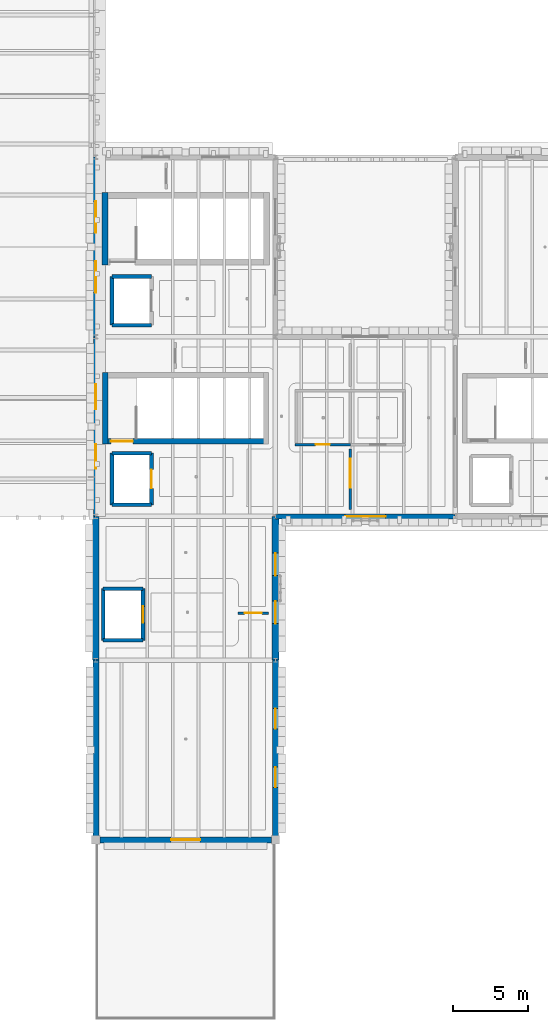
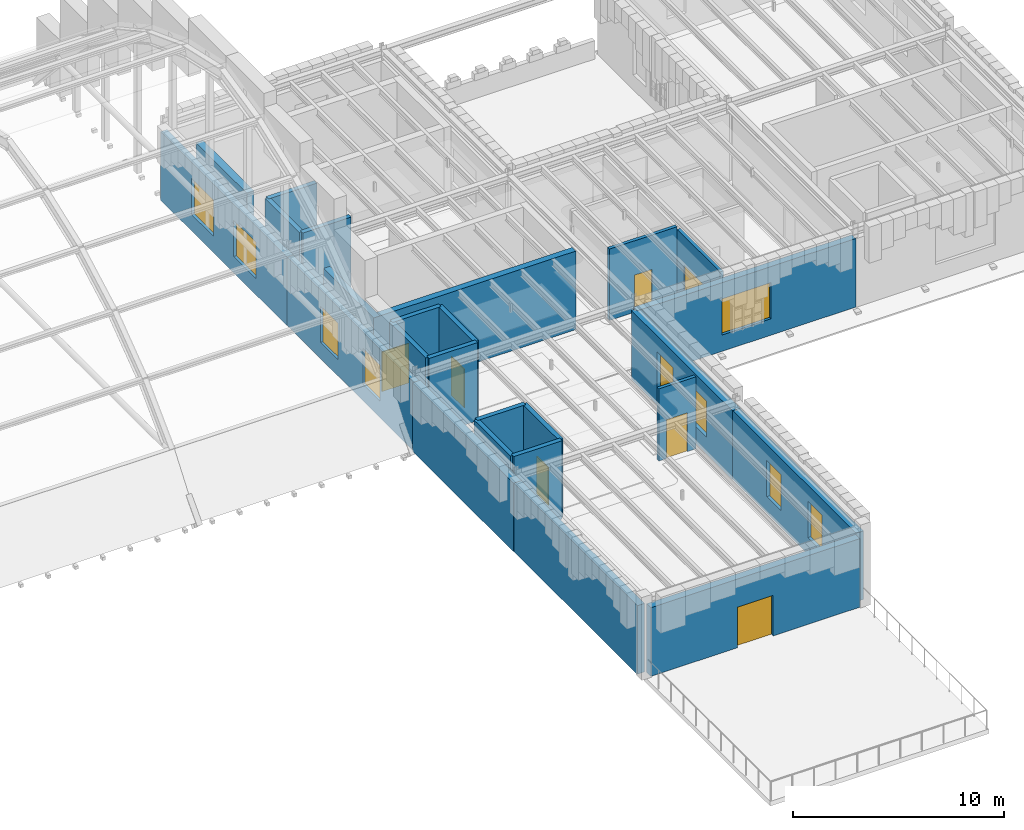
# One storey, part 16 of 35: 25 walls, 9 windows, 7 doors, 16 openings.
"""IFC4 building model written with IfcOpenShell, lengths in metres."""

from ifc_helpers import new_model, si_unit, direction, frame, frame_2d, origin, place, context, subcontext, project, spatial, rectangle, extrude, material, layer, layer_set, type_object, element, fill, save


model = new_model("IFC4")

# Units and contexts
model_context = context("Model", 3, precision=1e-05, world=origin(), true_north=direction((0.0, 1.0)))
body_context = subcontext(model_context, "Body", "Model", "MODEL_VIEW")
ifc_project = project(units=[si_unit("LENGTHUNIT", "METRE"), si_unit("AREAUNIT", "SQUARE_METRE"), si_unit("VOLUMEUNIT", "CUBIC_METRE"), si_unit("PLANEANGLEUNIT", "RADIAN"), si_unit("MASSUNIT", "GRAM", prefix="KILO")], contexts=[model_context])

# Site, building, storey
site_placement = place(None, origin())
site = spatial("IfcSite", under=ifc_project, at=site_placement, CompositionType="ELEMENT")
building_placement = place(site_placement, origin())
building = spatial("IfcBuilding", under=site, at=building_placement, Name="Zlatogorsky Bluff Art Gallery", CompositionType="ELEMENT")
storey_placement = place(building_placement, frame((0.0, 0.0, 23.39990234375)))
storey = spatial("IfcBuildingStorey", under=building, at=storey_placement, Name="L04", CompositionType="ELEMENT", Elevation=23.39990234375)

# Wall, openings, windows
ifc_material_1 = material(Name="Precast concrete C40/50", Category="concrete")
ifc_layer_1 = layer(ifc_material_1, 0.360107421875)
ifc_layer_set_1 = layer_set([ifc_layer_1], Name="Exterior Wall EW-01 360mm")
wall_type_1 = type_object("IfcWallType", Name="Exterior Wall EW-01 360mm", PredefinedType="SOLIDWALL", material=ifc_layer_set_1)
wall_1_placement = place(storey_placement, frame((120.0, 108.0, 0.0), z_axis=(0.0, 0.0, 1.0), x_axis=(0.0, -1.0, 0.0)))
wall_1 = element("IfcWall", 1, at=wall_1_placement, inside=storey, type_object=wall_type_1, Name="Exterior wall EW-01 L04 W 10.9", PredefinedType="SOLIDWALL", context=body_context, shape_type="SweptSolid", body=[
    extrude(rectangle(XDim=12.0, YDim=0.360107421875, at=frame_2d((6.0, 0.0))), origin(), (0.0, 0.0, 1.0), 3.97998046875),
])
opening_1_placement = place(wall_1_placement, frame((2.949951171875, 0.0, 0.949951171875)))
opening_1 = element("IfcOpeningElement", 2, at=opening_1_placement, cuts=wall_1, Name="Opening WN-32", PredefinedType="OPENING", context=body_context, shape_type="SweptSolid", body=[
    extrude(rectangle(XDim=2.10009765625, YDim=2.10009765625, at=frame_2d((1.050048828125, 1.050048828125))), frame((0.0, 0.18994140625, 0.0), z_axis=(0.0, -1.0, 0.0), x_axis=(1.0, 0.0, 0.0)), (0.0, 0.0, 1.0), 0.380126953125),
])
opening_2_placement = place(wall_1_placement, frame((6.949951171875, 0.0, 0.949951171875)))
opening_2 = element("IfcOpeningElement", 3, at=opening_2_placement, cuts=wall_1, Name="Opening WN-32", PredefinedType="OPENING", context=body_context, shape_type="SweptSolid", body=[
    extrude(rectangle(XDim=2.10009765625, YDim=2.10009765625, at=frame_2d((1.050048828125, 1.050048828125))), frame((0.0, 0.18994140625, 0.0), z_axis=(0.0, -1.0, 0.0), x_axis=(1.0, 0.0, 0.0)), (0.0, 0.0, 1.0), 0.380126953125),
])
ifc_material_2 = material(Name="Bronze-Anodised Aluminium Triple Glazing", Category="aluminium")
window_type_1 = type_object("IfcWindowType", Name="Pointed-Reveal Window WN-32 2100x2100", PartitioningType="SINGLE_PANEL", PredefinedType="WINDOW", material=ifc_material_2)
window_1_placement = place(opening_1_placement, origin())
window_1 = element("IfcWindow", 4, at=window_1_placement, inside=storey, type_object=window_type_1, Name="Window WN-32 L04.W.10.9.1", OverallHeight=2.10009765625, OverallWidth=2.10009765625, PartitioningType="SINGLE_PANEL", PredefinedType="WINDOW", context=body_context, shape_type="SweptSolid", body=[
    extrude(rectangle(XDim=2.10009765625, YDim=2.10009765625, at=frame_2d((1.050048828125, 1.050048828125))), frame((0.0, 0.030029296875, 0.0), z_axis=(0.0, -1.0, 0.0), x_axis=(1.0, 0.0, 0.0)), (0.0, 0.0, 1.0), 0.06005859375),
])
fill(opening_1, window_1)
window_2_placement = place(opening_2_placement, origin())
window_2 = element("IfcWindow", 5, at=window_2_placement, inside=storey, type_object=window_type_1, Name="Window WN-32 L04.W.10.9.2", OverallHeight=2.10009765625, OverallWidth=2.10009765625, PartitioningType="SINGLE_PANEL", PredefinedType="WINDOW", context=body_context, shape_type="SweptSolid", body=[
    extrude(rectangle(XDim=2.10009765625, YDim=2.10009765625, at=frame_2d((1.050048828125, 1.050048828125))), frame((0.0, 0.030029296875, 0.0), z_axis=(0.0, -1.0, 0.0), x_axis=(1.0, 0.0, 0.0)), (0.0, 0.0, 1.0), 0.06005859375),
])
fill(opening_2, window_2)

# Wall, opening, window
wall_2_placement = place(storey_placement, frame((132.0, 84.0, 0.0), z_axis=(0.0, 0.0, 1.0), x_axis=(1.0, 0.0, 0.0)))
wall_2 = element("IfcWall", 6, at=wall_2_placement, inside=storey, type_object=wall_type_1, Name="Exterior wall EW-01 L04 S 11.8", PredefinedType="SOLIDWALL", context=body_context, shape_type="SweptSolid", body=[
    extrude(rectangle(XDim=12.0, YDim=0.360107421875, at=frame_2d((6.0, 0.0))), origin(), (0.0, 0.0, 1.0), 3.97998046875),
])
opening_3_placement = place(wall_2_placement, frame((4.64990234375, 0.0, 0.949951171875)))
opening_3 = element("IfcOpeningElement", 7, at=opening_3_placement, cuts=wall_2, Name="Opening WN-34", PredefinedType="OPENING", context=body_context, shape_type="SweptSolid", body=[
    extrude(rectangle(XDim=2.699951171875, YDim=2.10009765625, at=frame_2d((1.35009765625, 1.050048828125))), frame((0.0, 0.18994140625, 0.0), z_axis=(0.0, -1.0, 0.0), x_axis=(1.0, 0.0, 0.0)), (0.0, 0.0, 1.0), 0.380126953125),
])
window_type_2 = type_object("IfcWindowType", Name="Pointed-Reveal Window WN-34 2700x2100", PartitioningType="SINGLE_PANEL", PredefinedType="WINDOW", material=ifc_material_2)
window_3_placement = place(opening_3_placement, origin())
window_3 = element("IfcWindow", 8, at=window_3_placement, inside=storey, type_object=window_type_2, Name="Window WN-34 L04.S.11.8.1", OverallHeight=2.10009765625, OverallWidth=2.699951171875, PartitioningType="SINGLE_PANEL", PredefinedType="WINDOW", context=body_context, shape_type="SweptSolid", body=[
    extrude(rectangle(XDim=2.699951171875, YDim=2.10009765625, at=frame_2d((1.35009765625, 1.050048828125))), frame((0.0, 0.030029296875, 0.0), z_axis=(0.0, -1.0, 0.0), x_axis=(1.0, 0.0, 0.0)), (0.0, 0.0, 1.0), 0.06005859375),
])
fill(opening_3, window_3)

# Wall, opening, door
ifc_layer_2 = layer(ifc_material_1, 0.39990234375)
ifc_layer_set_2 = layer_set([ifc_layer_2], Name="Exterior Wall EW-02 400mm")
wall_type_2 = type_object("IfcWallType", Name="Exterior Wall EW-02 400mm", PredefinedType="SOLIDWALL", material=ifc_layer_set_2)
wall_3_placement = place(storey_placement, frame((120.27001953125, 62.39990234375, 0.0), z_axis=(0.0, 0.0, 1.0), x_axis=(1.0, 0.0, 0.0)))
wall_3 = element("IfcWall", 9, at=wall_3_placement, inside=storey, type_object=wall_type_2, Name="Exterior wall EW-02 L04 S 10.6", PredefinedType="SOLIDWALL", context=body_context, shape_type="SweptSolid", body=[
    extrude(rectangle(XDim=11.4599609375, YDim=0.39990234375, at=frame_2d((5.72998046875, 0.0))), origin(), (0.0, 0.0, 1.0), 3.97998046875),
])
opening_4_placement = place(wall_3_placement, frame((4.7548828125, 0.0, 0.0)))
opening_4 = element("IfcOpeningElement", 10, at=opening_4_placement, cuts=wall_3, Name="Opening TD-02", PredefinedType="OPENING", context=body_context, shape_type="SweptSolid", body=[
    extrude(rectangle(XDim=1.949951171875, YDim=2.35009765625, at=frame_2d((0.97509765625, 1.175048828125))), frame((0.0, 0.2099609375, 0.0), z_axis=(0.0, -1.0, 0.0), x_axis=(1.0, 0.0, 0.0)), (0.0, 0.0, 1.0), 0.419921875),
])
ifc_material_3 = material(Name="Bronze-Clad Thermally Broken Steel and Laminated Glass", Category="steel")
door_type_1 = type_object("IfcDoorType", Name="Exterior Door TD-02 1950x2350", OperationType="DOUBLE_DOOR_SINGLE_SWING", PredefinedType="DOOR", material=ifc_material_3)
door_1_placement = place(opening_4_placement, origin())
door_1 = element("IfcDoor", 11, at=door_1_placement, inside=storey, type_object=door_type_1, Name="Terrace access door TD-02 L04.S.10.6", OperationType="DOUBLE_DOOR_SINGLE_SWING", OverallHeight=2.35009765625, OverallWidth=1.949951171875, PredefinedType="DOOR", context=body_context, shape_type="SweptSolid", body=[
    extrude(rectangle(XDim=1.949951171875, YDim=2.35009765625, at=frame_2d((0.97509765625, 1.175048828125))), frame((0.0, 0.02490234375, 0.0), z_axis=(0.0, -1.0, 0.0), x_axis=(1.0, 0.0, 0.0)), (0.0, 0.0, 1.0), 0.050048828125),
])
fill(opening_4, door_1)

# Wall
wall_4_placement = place(storey_placement, frame((120.0, 74.39990234375, 0.0), z_axis=(0.0, 0.0, 1.0), x_axis=(0.0, -1.0, 0.0)))
element("IfcWall", 12, at=wall_4_placement, inside=storey, type_object=wall_type_2, Name="Exterior wall EW-02 L04 W 10.6", PredefinedType="SOLIDWALL", context=body_context, shape_type="SweptSolid", body=[
    extrude(rectangle(XDim=11.72998046875, YDim=0.39990234375, at=frame_2d((5.864990234375, 0.0))), origin(), (0.0, 0.0, 1.0), 3.97998046875),
])

# Wall, openings, windows
wall_5_placement = place(storey_placement, frame((132.0, 62.669921875, 0.0), z_axis=(0.0, 0.0, 1.0), x_axis=(0.0, 1.0, 0.0)))
wall_5 = element("IfcWall", 13, at=wall_5_placement, inside=storey, type_object=wall_type_2, Name="Exterior wall EW-02 L04 E 10.6", PredefinedType="SOLIDWALL", context=body_context, shape_type="SweptSolid", body=[
    extrude(rectangle(XDim=11.72998046875, YDim=0.39990234375, at=frame_2d((5.864990234375, 0.0))), origin(), (0.0, 0.0, 1.0), 3.97998046875),
])
opening_5_placement = place(wall_5_placement, frame((3.235107421875, 0.0, 0.949951171875)))
opening_5 = element("IfcOpeningElement", 14, at=opening_5_placement, cuts=wall_5, Name="Opening WN-28", PredefinedType="OPENING", context=body_context, shape_type="SweptSolid", body=[
    extrude(rectangle(XDim=1.35009765625, YDim=2.10009765625, at=frame_2d((0.675048828125, 1.050048828125))), frame((0.0, 0.2099609375, 0.0), z_axis=(0.0, -1.0, 0.0), x_axis=(1.0, 0.0, 0.0)), (0.0, 0.0, 1.0), 0.419921875),
])
opening_6_placement = place(wall_5_placement, frame((7.14501953125, 0.0, 0.949951171875)))
opening_6 = element("IfcOpeningElement", 15, at=opening_6_placement, cuts=wall_5, Name="Opening WN-28", PredefinedType="OPENING", context=body_context, shape_type="SweptSolid", body=[
    extrude(rectangle(XDim=1.35009765625, YDim=2.10009765625, at=frame_2d((0.675048828125, 1.050048828125))), frame((0.0, 0.2099609375, 0.0), z_axis=(0.0, -1.0, 0.0), x_axis=(1.0, 0.0, 0.0)), (0.0, 0.0, 1.0), 0.419921875),
])
window_type_3 = type_object("IfcWindowType", Name="Pointed-Reveal Window WN-28 1350x2100", PartitioningType="SINGLE_PANEL", PredefinedType="WINDOW", material=ifc_material_2)
window_4_placement = place(opening_5_placement, origin())
window_4 = element("IfcWindow", 16, at=window_4_placement, inside=storey, type_object=window_type_3, Name="Window WN-28 L04.E.10.6.1", OverallHeight=2.10009765625, OverallWidth=1.35009765625, PartitioningType="SINGLE_PANEL", PredefinedType="WINDOW", context=body_context, shape_type="SweptSolid", body=[
    extrude(rectangle(XDim=1.35009765625, YDim=2.10009765625, at=frame_2d((0.675048828125, 1.050048828125))), frame((0.0, 0.030029296875, 0.0), z_axis=(0.0, -1.0, 0.0), x_axis=(1.0, 0.0, 0.0)), (0.0, 0.0, 1.0), 0.06005859375),
])
fill(opening_5, window_4)
window_5_placement = place(opening_6_placement, origin())
window_5 = element("IfcWindow", 17, at=window_5_placement, inside=storey, type_object=window_type_3, Name="Window WN-28 L04.E.10.6.2", OverallHeight=2.10009765625, OverallWidth=1.35009765625, PartitioningType="SINGLE_PANEL", PredefinedType="WINDOW", context=body_context, shape_type="SweptSolid", body=[
    extrude(rectangle(XDim=1.35009765625, YDim=2.10009765625, at=frame_2d((0.675048828125, 1.050048828125))), frame((0.0, 0.030029296875, 0.0), z_axis=(0.0, -1.0, 0.0), x_axis=(1.0, 0.0, 0.0)), (0.0, 0.0, 1.0), 0.06005859375),
])
fill(opening_6, window_5)

# Wall
ifc_layer_3 = layer(ifc_material_1, 0.43994140625)
ifc_layer_set_3 = layer_set([ifc_layer_3], Name="Exterior Wall EW-03 440mm")
wall_type_3 = type_object("IfcWallType", Name="Exterior Wall EW-03 440mm", PredefinedType="SOLIDWALL", material=ifc_layer_set_3)
wall_6_placement = place(storey_placement, frame((120.0, 84.0, 0.0), z_axis=(0.0, 0.0, 1.0), x_axis=(0.0, -1.0, 0.0)))
element("IfcWall", 18, at=wall_6_placement, inside=storey, type_object=wall_type_3, Name="Exterior wall EW-03 L04 W 10.7", PredefinedType="SOLIDWALL", context=body_context, shape_type="SweptSolid", body=[
    extrude(rectangle(XDim=9.60009765625, YDim=0.43994140625, at=frame_2d((4.800048828125, 0.0))), origin(), (0.0, 0.0, 1.0), 3.97998046875),
])

# Wall, openings, windows
wall_7_placement = place(storey_placement, frame((132.0, 74.39990234375, 0.0), z_axis=(0.0, 0.0, 1.0), x_axis=(0.0, 1.0, 0.0)))
wall_7 = element("IfcWall", 19, at=wall_7_placement, inside=storey, type_object=wall_type_3, Name="Exterior wall EW-03 L04 E 10.7", PredefinedType="SOLIDWALL", context=body_context, shape_type="SweptSolid", body=[
    extrude(rectangle(XDim=9.60009765625, YDim=0.43994140625, at=frame_2d((4.800048828125, 0.0))), origin(), (0.0, 0.0, 1.0), 3.97998046875),
])
opening_7_placement = place(wall_7_placement, frame((2.449951171875, 0.0, 0.949951171875)))
opening_7 = element("IfcOpeningElement", 20, at=opening_7_placement, cuts=wall_7, Name="Opening WN-29", PredefinedType="OPENING", context=body_context, shape_type="SweptSolid", body=[
    extrude(rectangle(XDim=1.5, YDim=2.10009765625, at=frame_2d((0.75, 1.050048828125))), frame((0.0, 0.22998046875, 0.0), z_axis=(0.0, -1.0, 0.0), x_axis=(1.0, 0.0, 0.0)), (0.0, 0.0, 1.0), 0.4599609375),
])
opening_8_placement = place(wall_7_placement, frame((5.64990234375, 0.0, 0.949951171875)))
opening_8 = element("IfcOpeningElement", 21, at=opening_8_placement, cuts=wall_7, Name="Opening WN-29", PredefinedType="OPENING", context=body_context, shape_type="SweptSolid", body=[
    extrude(rectangle(XDim=1.5, YDim=2.10009765625, at=frame_2d((0.75, 1.050048828125))), frame((0.0, 0.22998046875, 0.0), z_axis=(0.0, -1.0, 0.0), x_axis=(1.0, 0.0, 0.0)), (0.0, 0.0, 1.0), 0.4599609375),
])
window_type_4 = type_object("IfcWindowType", Name="Pointed-Reveal Window WN-29 1500x2100", PartitioningType="SINGLE_PANEL", PredefinedType="WINDOW", material=ifc_material_2)
window_6_placement = place(opening_7_placement, origin())
window_6 = element("IfcWindow", 22, at=window_6_placement, inside=storey, type_object=window_type_4, Name="Window WN-29 L04.E.10.7.1", OverallHeight=2.10009765625, OverallWidth=1.5, PartitioningType="SINGLE_PANEL", PredefinedType="WINDOW", context=body_context, shape_type="SweptSolid", body=[
    extrude(rectangle(XDim=1.5, YDim=2.10009765625, at=frame_2d((0.75, 1.050048828125))), frame((0.0, 0.030029296875, 0.0), z_axis=(0.0, -1.0, 0.0), x_axis=(1.0, 0.0, 0.0)), (0.0, 0.0, 1.0), 0.06005859375),
])
fill(opening_7, window_6)
window_7_placement = place(opening_8_placement, origin())
window_7 = element("IfcWindow", 23, at=window_7_placement, inside=storey, type_object=window_type_4, Name="Window WN-29 L04.E.10.7.2", OverallHeight=2.10009765625, OverallWidth=1.5, PartitioningType="SINGLE_PANEL", PredefinedType="WINDOW", context=body_context, shape_type="SweptSolid", body=[
    extrude(rectangle(XDim=1.5, YDim=2.10009765625, at=frame_2d((0.75, 1.050048828125))), frame((0.0, 0.030029296875, 0.0), z_axis=(0.0, -1.0, 0.0), x_axis=(1.0, 0.0, 0.0)), (0.0, 0.0, 1.0), 0.06005859375),
])
fill(opening_8, window_7)

ifc_layer_4 = layer(ifc_material_1, 0.320068359375)
ifc_layer_set_4 = layer_set([ifc_layer_4], Name="Exterior Wall EW-04 320mm")
wall_type_4 = type_object("IfcWallType", Name="Exterior Wall EW-04 320mm", PredefinedType="SOLIDWALL", material=ifc_layer_set_4)
wall_8_placement = place(storey_placement, frame((120.0, 96.0, 0.0), z_axis=(0.0, 0.0, 1.0), x_axis=(0.0, -1.0, 0.0)))
wall_8 = element("IfcWall", 24, at=wall_8_placement, inside=storey, type_object=wall_type_4, Name="Exterior wall EW-04 L04 W 10.8", PredefinedType="SOLIDWALL", context=body_context, shape_type="SweptSolid", body=[
    extrude(rectangle(XDim=12.0, YDim=0.320068359375, at=frame_2d((6.0, 0.0))), origin(), (0.0, 0.0, 1.0), 3.97998046875),
])
opening_9_placement = place(wall_8_placement, frame((3.175048828125, 0.0, 0.949951171875)))
opening_9 = element("IfcOpeningElement", 25, at=opening_9_placement, cuts=wall_8, Name="Opening WN-30", PredefinedType="OPENING", context=body_context, shape_type="SweptSolid", body=[
    extrude(rectangle(XDim=1.64990234375, YDim=2.10009765625, at=frame_2d((0.824951171875, 1.050048828125))), frame((0.0, 0.169921875, 0.0), z_axis=(0.0, -1.0, 0.0), x_axis=(1.0, 0.0, 0.0)), (0.0, 0.0, 1.0), 0.340087890625),
])
opening_10_placement = place(wall_8_placement, frame((7.175048828125, 0.0, 0.949951171875)))
opening_10 = element("IfcOpeningElement", 26, at=opening_10_placement, cuts=wall_8, Name="Opening WN-30", PredefinedType="OPENING", context=body_context, shape_type="SweptSolid", body=[
    extrude(rectangle(XDim=1.64990234375, YDim=2.10009765625, at=frame_2d((0.824951171875, 1.050048828125))), frame((0.0, 0.169921875, 0.0), z_axis=(0.0, -1.0, 0.0), x_axis=(1.0, 0.0, 0.0)), (0.0, 0.0, 1.0), 0.340087890625),
])
window_type_5 = type_object("IfcWindowType", Name="Pointed-Reveal Window WN-30 1650x2100", PartitioningType="SINGLE_PANEL", PredefinedType="WINDOW", material=ifc_material_2)
window_8_placement = place(opening_9_placement, origin())
window_8 = element("IfcWindow", 27, at=window_8_placement, inside=storey, type_object=window_type_5, Name="Window WN-30 L04.W.10.8.1", OverallHeight=2.10009765625, OverallWidth=1.64990234375, PartitioningType="SINGLE_PANEL", PredefinedType="WINDOW", context=body_context, shape_type="SweptSolid", body=[
    extrude(rectangle(XDim=1.64990234375, YDim=2.10009765625, at=frame_2d((0.824951171875, 1.050048828125))), frame((0.0, 0.030029296875, 0.0), z_axis=(0.0, -1.0, 0.0), x_axis=(1.0, 0.0, 0.0)), (0.0, 0.0, 1.0), 0.06005859375),
])
fill(opening_9, window_8)
window_9_placement = place(opening_10_placement, origin())
window_9 = element("IfcWindow", 28, at=window_9_placement, inside=storey, type_object=window_type_5, Name="Window WN-30 L04.W.10.8.2", OverallHeight=2.10009765625, OverallWidth=1.64990234375, PartitioningType="SINGLE_PANEL", PredefinedType="WINDOW", context=body_context, shape_type="SweptSolid", body=[
    extrude(rectangle(XDim=1.64990234375, YDim=2.10009765625, at=frame_2d((0.824951171875, 1.050048828125))), frame((0.0, 0.030029296875, 0.0), z_axis=(0.0, -1.0, 0.0), x_axis=(1.0, 0.0, 0.0)), (0.0, 0.0, 1.0), 0.06005859375),
])
fill(opening_10, window_9)

# Wall, opening, door
ifc_material_4 = material(Name="Concrete C30/37", Category="concrete")
ifc_layer_5 = layer(ifc_material_4, 0.179931640625)
ifc_layer_set_5 = layer_set([ifc_layer_5], Name="Interior Wall IW-02 180mm")
wall_type_5 = type_object("IfcWallType", Name="Interior Wall IW-02 180mm", PredefinedType="PARTITIONING", material=ifc_layer_set_5)
wall_9_placement = place(storey_placement, frame((133.31005859375, 88.800048828125, 0.0), z_axis=(0.0, 0.0, 1.0), x_axis=(1.0, 0.0, 0.0)))
wall_9 = element("IfcWall", 29, at=wall_9_placement, inside=storey, type_object=wall_type_5, Name="Restroom enclosure partition IW-L04-WC-S1", PredefinedType="PARTITIONING", context=body_context, shape_type="SweptSolid", body=[
    extrude(rectangle(XDim=3.68994140625, YDim=0.179931640625, at=frame_2d((1.844970703125, 0.0))), origin(), (0.0, 0.0, 1.0), 4.14013671875),
])
opening_11_placement = place(wall_9_placement, frame((1.364990234375, 0.0, 0.0)))
opening_11 = element("IfcOpeningElement", 30, at=opening_11_placement, cuts=wall_9, Name="Opening ID-02", PredefinedType="OPENING", context=body_context, shape_type="SweptSolid", body=[
    extrude(rectangle(XDim=0.9599609375, YDim=2.14990234375, at=frame_2d((0.47998046875, 1.074951171875))), frame((0.0, 0.099853515625, 0.0), z_axis=(0.0, -1.0, 0.0), x_axis=(1.0, 0.0, 0.0)), (0.0, 0.0, 1.0), 0.199951171875),
])
ifc_material_5 = material(Name="Anodised Aluminium and Laminated Timber", Category="wood")
door_type_2 = type_object("IfcDoorType", Name="Interior Door ID-02 960x2150", OperationType="SINGLE_SWING_LEFT", PredefinedType="DOOR", material=ifc_material_5)
door_2_placement = place(opening_11_placement, origin())
door_2 = element("IfcDoor", 31, at=door_2_placement, inside=storey, type_object=door_type_2, Name="Door ID-02 L04-WC", OperationType="SINGLE_SWING_RIGHT", OverallHeight=2.14990234375, OverallWidth=0.9599609375, PredefinedType="DOOR", context=body_context, shape_type="SweptSolid", body=[
    extrude(rectangle(XDim=0.9599609375, YDim=2.14990234375, at=frame_2d((0.47998046875, 1.074951171875))), frame((0.0, 0.02490234375, 0.0), z_axis=(0.0, -1.0, 0.0), x_axis=(1.0, 0.0, 0.0)), (0.0, 0.0, 1.0), 0.050048828125),
])
fill(opening_11, door_2)

wall_10_placement = place(storey_placement, frame((129.510009765625, 77.544921875, 0.0), z_axis=(0.0, 0.0, 1.0), x_axis=(1.0, 0.0, 0.0)))
wall_10 = element("IfcWall", 32, at=wall_10_placement, inside=storey, type_object=wall_type_5, Name="Partition IW-02 between L04-SL-11 and L04-SL-12", PredefinedType="PARTITIONING", context=body_context, shape_type="SweptSolid", body=[
    extrude(rectangle(XDim=2.0400390625, YDim=0.179931640625, at=frame_2d((1.02001953125, 0.0))), origin(), (0.0, 0.0, 1.0), 4.18017578125),
])
opening_12_placement = place(wall_10_placement, frame((0.425048828125, 0.0, 0.0)))
opening_12 = element("IfcOpeningElement", 33, at=opening_12_placement, cuts=wall_10, Name="Opening ID-06", PredefinedType="OPENING", context=body_context, shape_type="SweptSolid", body=[
    extrude(rectangle(XDim=1.14990234375, YDim=2.25, at=frame_2d((0.574951171875, 1.125))), frame((0.0, 0.099853515625, 0.0), z_axis=(0.0, -1.0, 0.0), x_axis=(1.0, 0.0, 0.0)), (0.0, 0.0, 1.0), 0.199951171875),
])
door_type_3 = type_object("IfcDoorType", Name="Interior Door ID-06 1150x2250", OperationType="SINGLE_SWING_LEFT", PredefinedType="DOOR", material=ifc_material_5)
door_3_placement = place(opening_12_placement, origin())
door_3 = element("IfcDoor", 34, at=door_3_placement, inside=storey, type_object=door_type_3, Name="Door ID-06 L04-SL-11-L04-SL-12", OperationType="SINGLE_SWING_RIGHT", OverallHeight=2.25, OverallWidth=1.14990234375, PredefinedType="DOOR", context=body_context, shape_type="SweptSolid", body=[
    extrude(rectangle(XDim=1.14990234375, YDim=2.25, at=frame_2d((0.574951171875, 1.125))), frame((0.0, 0.02490234375, 0.0), z_axis=(0.0, -1.0, 0.0), x_axis=(1.0, 0.0, 0.0)), (0.0, 0.0, 1.0), 0.050048828125),
])
fill(opening_12, door_3)

wall_11_placement = place(storey_placement, frame((137.0, 84.449951171875, 0.0), z_axis=(0.0, 0.0, 1.0), x_axis=(0.0, 1.0, 0.0)))
wall_11 = element("IfcWall", 35, at=wall_11_placement, inside=storey, type_object=wall_type_5, Name="Partition IW-02 between L04-IM-12 and L04-IM-13-S1", PredefinedType="PARTITIONING", context=body_context, shape_type="SweptSolid", body=[
    extrude(rectangle(XDim=4.069091796875, YDim=0.179931640625, at=frame_2d((2.03466796875, 0.0))), origin(), (0.0, 0.0, 1.0), 4.14013671875),
])
opening_13_placement = place(wall_11_placement, frame((1.468994140625, 0.0, 0.0)))
opening_13 = element("IfcOpeningElement", 36, at=opening_13_placement, cuts=wall_11, Name="Opening ID-12", PredefinedType="OPENING", context=body_context, shape_type="SweptSolid", body=[
    extrude(rectangle(XDim=1.949951171875, YDim=2.449951171875, at=frame_2d((0.97509765625, 1.22509765625))), frame((0.0, 0.099853515625, 0.0), z_axis=(0.0, -1.0, 0.0), x_axis=(1.0, 0.0, 0.0)), (0.0, 0.0, 1.0), 0.199951171875),
])
door_type_4 = type_object("IfcDoorType", Name="Interior Door ID-12 1950x2450", OperationType="DOUBLE_DOOR_SINGLE_SWING", PredefinedType="DOOR", material=ifc_material_5)
door_4_placement = place(opening_13_placement, origin())
door_4 = element("IfcDoor", 37, at=door_4_placement, inside=storey, type_object=door_type_4, Name="Door ID-12 L04-IM-12-L04-IM-13-S1", OperationType="DOUBLE_DOOR_SINGLE_SWING", OverallHeight=2.449951171875, OverallWidth=1.949951171875, PredefinedType="DOOR", context=body_context, shape_type="SweptSolid", body=[
    extrude(rectangle(XDim=1.949951171875, YDim=2.449951171875, at=frame_2d((0.97509765625, 1.22509765625))), frame((0.0, 0.02490234375, 0.0), z_axis=(0.0, -1.0, 0.0), x_axis=(1.0, 0.0, 0.0)), (0.0, 0.0, 1.0), 0.050048828125),
])
fill(opening_13, door_4)

# Wall
ifc_material_6 = material(Name="Concrete C35/45", Category="concrete")
ifc_layer_6 = layer(ifc_material_6, 0.25)
ifc_layer_set_6 = layer_set([ifc_layer_6], Name="Interior Wall IW-05 250mm")
wall_type_6 = type_object("IfcWallType", Name="Interior Wall IW-05 250mm", PredefinedType="SOLIDWALL", material=ifc_layer_set_6)
wall_12_placement = place(storey_placement, frame((120.4951171875, 75.72509765625, 0.0), z_axis=(0.0, 0.0, 1.0), x_axis=(1.0, 0.0, 0.0)))
element("IfcWall", 38, at=wall_12_placement, inside=storey, type_object=wall_type_6, Name="Lift FL-1 shaft wall L04 S", PredefinedType="SOLIDWALL", context=body_context, shape_type="SweptSolid", body=[
    extrude(rectangle(XDim=2.64990234375, YDim=0.25, at=frame_2d((1.324951171875, 0.0))), origin(), (0.0, 0.0, 1.0), 4.5400390625),
])

# Wall, opening, door
wall_13_placement = place(storey_placement, frame((123.14501953125, 75.72509765625, 0.0), z_axis=(0.0, 0.0, 1.0), x_axis=(0.0, 1.0, 0.0)))
wall_13 = element("IfcWall", 39, at=wall_13_placement, inside=storey, type_object=wall_type_6, Name="Lift FL-1 shaft wall L04 E", PredefinedType="SOLIDWALL", context=body_context, shape_type="SweptSolid", body=[
    extrude(rectangle(XDim=3.449951171875, YDim=0.25, at=frame_2d((1.72509765625, 0.0))), origin(), (0.0, 0.0, 1.0), 4.5400390625),
])
opening_14_placement = place(wall_13_placement, frame((1.175048828125, 0.0, 0.0)))
opening_14 = element("IfcOpeningElement", 40, at=opening_14_placement, cuts=wall_13, Name="Opening LD-01", PredefinedType="OPENING", context=body_context, shape_type="SweptSolid", body=[
    extrude(rectangle(XDim=1.10009765625, YDim=2.199951171875, at=frame_2d((0.550048828125, 1.10009765625))), frame((0.0, 0.135009765625, 0.0), z_axis=(0.0, -1.0, 0.0), x_axis=(1.0, 0.0, 0.0)), (0.0, 0.0, 1.0), 0.27001953125),
])
door_type_5 = type_object("IfcDoorType", Name="Interior Door LD-01 1100x2200", OperationType="SLIDING_TO_LEFT", PredefinedType="DOOR", material=ifc_material_5)
door_5_placement = place(opening_14_placement, origin())
door_5 = element("IfcDoor", 41, at=door_5_placement, inside=storey, type_object=door_type_5, Name="Lift FL-1 sliding landing door L04", OperationType="SLIDING_TO_LEFT", OverallHeight=2.199951171875, OverallWidth=1.10009765625, PredefinedType="DOOR", context=body_context, shape_type="SweptSolid", body=[
    extrude(rectangle(XDim=1.10009765625, YDim=2.199951171875, at=frame_2d((0.550048828125, 1.10009765625))), frame((0.0, 0.02490234375, 0.0), z_axis=(0.0, -1.0, 0.0), x_axis=(1.0, 0.0, 0.0)), (0.0, 0.0, 1.0), 0.050048828125),
])
fill(opening_14, door_5)

# Walls
wall_14_placement = place(storey_placement, frame((123.14501953125, 79.175048828125, 0.0), z_axis=(0.0, 0.0, 1.0), x_axis=(-1.0, 0.0, 0.0)))
element("IfcWall", 42, at=wall_14_placement, inside=storey, type_object=wall_type_6, Name="Lift FL-1 shaft wall L04 N", PredefinedType="SOLIDWALL", context=body_context, shape_type="SweptSolid", body=[
    extrude(rectangle(XDim=2.64990234375, YDim=0.25, at=frame_2d((1.324951171875, 0.0))), origin(), (0.0, 0.0, 1.0), 4.5400390625),
])
wall_15_placement = place(storey_placement, frame((120.4951171875, 79.175048828125, 0.0), z_axis=(0.0, 0.0, 1.0), x_axis=(0.0, -1.0, 0.0)))
element("IfcWall", 43, at=wall_15_placement, inside=storey, type_object=wall_type_6, Name="Lift FL-1 shaft wall L04 W", PredefinedType="SOLIDWALL", context=body_context, shape_type="SweptSolid", body=[
    extrude(rectangle(XDim=3.449951171875, YDim=0.25, at=frame_2d((1.72509765625, 0.0))), origin(), (0.0, 0.0, 1.0), 4.5400390625),
])
wall_16_placement = place(storey_placement, frame((121.074951171875, 84.77490234375, 0.0), z_axis=(0.0, 0.0, 1.0), x_axis=(1.0, 0.0, 0.0)))
element("IfcWall", 44, at=wall_16_placement, inside=storey, type_object=wall_type_6, Name="Lift FL-2 shaft wall L04 S", PredefinedType="SOLIDWALL", context=body_context, shape_type="SweptSolid", body=[
    extrude(rectangle(XDim=2.650146484375, YDim=0.25, at=frame_2d((1.3251953125, 0.0))), origin(), (0.0, 0.0, 1.0), 4.5400390625),
])

# Wall, opening, door
wall_17_placement = place(storey_placement, frame((123.72509765625, 84.77490234375, 0.0), z_axis=(0.0, 0.0, 1.0), x_axis=(0.0, 1.0, 0.0)))
wall_17 = element("IfcWall", 45, at=wall_17_placement, inside=storey, type_object=wall_type_6, Name="Lift FL-2 shaft wall L04 E", PredefinedType="SOLIDWALL", context=body_context, shape_type="SweptSolid", body=[
    extrude(rectangle(XDim=3.4501953125, YDim=0.25, at=frame_2d((1.72509765625, 0.0))), origin(), (0.0, 0.0, 1.0), 4.5400390625),
])
opening_15_placement = place(wall_17_placement, frame((1.10009765625, 0.0, 0.0)))
opening_15 = element("IfcOpeningElement", 46, at=opening_15_placement, cuts=wall_17, Name="Opening LD-02", PredefinedType="OPENING", context=body_context, shape_type="SweptSolid", body=[
    extrude(rectangle(XDim=1.25, YDim=2.25, at=frame_2d((0.625, 1.125))), frame((0.0, 0.135009765625, 0.0), z_axis=(0.0, -1.0, 0.0), x_axis=(1.0, 0.0, 0.0)), (0.0, 0.0, 1.0), 0.27001953125),
])
door_type_6 = type_object("IfcDoorType", Name="Interior Door LD-02 1250x2250", OperationType="SLIDING_TO_LEFT", PredefinedType="DOOR", material=ifc_material_5)
door_6_placement = place(opening_15_placement, origin())
door_6 = element("IfcDoor", 47, at=door_6_placement, inside=storey, type_object=door_type_6, Name="Lift FL-2 sliding landing door L04", OperationType="SLIDING_TO_LEFT", OverallHeight=2.25, OverallWidth=1.25, PredefinedType="DOOR", context=body_context, shape_type="SweptSolid", body=[
    extrude(rectangle(XDim=1.25, YDim=2.25, at=frame_2d((0.625, 1.125))), frame((0.0, 0.02490234375, 0.0), z_axis=(0.0, -1.0, 0.0), x_axis=(1.0, 0.0, 0.0)), (0.0, 0.0, 1.0), 0.050048828125),
])
fill(opening_15, door_6)

# Walls
wall_18_placement = place(storey_placement, frame((123.72509765625, 88.22509765625, 0.0), z_axis=(0.0, 0.0, 1.0), x_axis=(-1.0, 0.0, 0.0)))
element("IfcWall", 48, at=wall_18_placement, inside=storey, type_object=wall_type_6, Name="Lift FL-2 shaft wall L04 N", PredefinedType="SOLIDWALL", context=body_context, shape_type="SweptSolid", body=[
    extrude(rectangle(XDim=2.650146484375, YDim=0.25, at=frame_2d((1.3251953125, 0.0))), origin(), (0.0, 0.0, 1.0), 4.5400390625),
])
wall_19_placement = place(storey_placement, frame((121.074951171875, 88.22509765625, 0.0), z_axis=(0.0, 0.0, 1.0), x_axis=(0.0, -1.0, 0.0)))
element("IfcWall", 49, at=wall_19_placement, inside=storey, type_object=wall_type_6, Name="Lift FL-2 shaft wall L04 W", PredefinedType="SOLIDWALL", context=body_context, shape_type="SweptSolid", body=[
    extrude(rectangle(XDim=3.4501953125, YDim=0.25, at=frame_2d((1.72509765625, 0.0))), origin(), (0.0, 0.0, 1.0), 4.5400390625),
])
for number, where, z_axis, x_axis, name in (
    (50, (121.074951171875, 96.77490234375, 0.0), (0.0, 0.0, 1.0), (1.0, 0.0, 0.0), "Lift PL-1 shaft wall L04 S"),
    (51, (123.72509765625, 100.02490234375, 0.0), (0.0, 0.0, 1.0), (-1.0, 0.0, 0.0), "Lift PL-1 shaft wall L04 N"),
):
    element("IfcWall", number, at=place(storey_placement, frame(where, z_axis=z_axis, x_axis=x_axis)), inside=storey, type_object=wall_type_6, Name=name, PredefinedType="SOLIDWALL", context=body_context, shape_type="SweptSolid", body=[
        extrude(rectangle(XDim=2.650146484375, YDim=0.25, at=frame_2d((1.3251953125, 0.0))), origin(), (0.0, 0.0, 1.0), 4.5400390625),
    ])
wall_20_placement = place(storey_placement, frame((121.074951171875, 100.02490234375, 0.0), z_axis=(0.0, 0.0, 1.0), x_axis=(0.0, -1.0, 0.0)))
element("IfcWall", 52, at=wall_20_placement, inside=storey, type_object=wall_type_6, Name="Lift PL-1 shaft wall L04 W", PredefinedType="SOLIDWALL", context=body_context, shape_type="SweptSolid", body=[
    extrude(rectangle(XDim=3.25, YDim=0.25, at=frame_2d((1.625, 0.0))), origin(), (0.0, 0.0, 1.0), 4.5400390625),
])

# Wall, opening, door
ifc_layer_7 = layer(ifc_material_6, 0.35009765625)
ifc_layer_set_7 = layer_set([ifc_layer_7], Name="Interior Wall SW-02 350mm")
wall_type_7 = type_object("IfcWallType", Name="Interior Wall SW-02 350mm", PredefinedType="SHEAR", material=ifc_layer_set_7)
wall_21_placement = place(storey_placement, frame((120.449951171875, 89.02490234375, 0.0), z_axis=(0.0, 0.0, 1.0), x_axis=(1.0, 0.0, 0.0)))
wall_21 = element("IfcWall", 53, at=wall_21_placement, inside=storey, type_object=wall_type_7, Name="Stair ST-02 enclosure wall L04 W0", PredefinedType="SHEAR", context=body_context, shape_type="SweptSolid", body=[
    extrude(rectangle(XDim=11.10009765625, YDim=0.35009765625, at=frame_2d((5.550048828125, 0.0))), origin(), (0.0, 0.0, 1.0), 4.56005859375),
])
opening_16_placement = place(wall_21_placement, frame((0.550048828125, 0.0, 0.0)))
opening_16 = element("IfcOpeningElement", 54, at=opening_16_placement, cuts=wall_21, Name="Opening FD-03", PredefinedType="OPENING", context=body_context, shape_type="SweptSolid", body=[
    extrude(rectangle(XDim=1.47998046875, YDim=2.300048828125, at=frame_2d((0.739990234375, 1.14990234375))), frame((0.0, 0.18505859375, 0.0), z_axis=(0.0, -1.0, 0.0), x_axis=(1.0, 0.0, 0.0)), (0.0, 0.0, 1.0), 0.3701171875),
])
door_type_7 = type_object("IfcDoorType", Name="Interior Door FD-03 1480x2300", OperationType="DOUBLE_DOOR_SINGLE_SWING", PredefinedType="DOOR", material=ifc_material_5)
door_7_placement = place(opening_16_placement, origin())
door_7 = element("IfcDoor", 55, at=door_7_placement, inside=storey, type_object=door_type_7, Name="Stair ST-02 fire door L04", OperationType="DOUBLE_DOOR_SINGLE_SWING", OverallHeight=2.300048828125, OverallWidth=1.47998046875, PredefinedType="DOOR", context=body_context, shape_type="SweptSolid", body=[
    extrude(rectangle(XDim=1.47998046875, YDim=2.300048828125, at=frame_2d((0.739990234375, 1.14990234375))), frame((0.0, 0.02490234375, 0.0), z_axis=(0.0, -1.0, 0.0), x_axis=(1.0, 0.0, 0.0)), (0.0, 0.0, 1.0), 0.050048828125),
])
fill(opening_16, door_7)

# Walls
wall_22_placement = place(storey_placement, frame((120.625, 93.60009765625, 0.0), z_axis=(0.0, 0.0, 1.0), x_axis=(0.0, -1.0, 0.0)))
element("IfcWall", 56, at=wall_22_placement, inside=storey, type_object=wall_type_7, Name="Stair ST-02 enclosure wall L04 LEND", PredefinedType="SHEAR", context=body_context, shape_type="SweptSolid", body=[
    extrude(rectangle(XDim=4.75, YDim=0.35009765625, at=frame_2d((2.375, 0.0))), origin(), (0.0, 0.0, 1.0), 4.56005859375),
])
ifc_layer_8 = layer(ifc_material_6, 0.39990234375)
ifc_layer_set_8 = layer_set([ifc_layer_8], Name="Interior Wall SW-03 400mm")
wall_type_8 = type_object("IfcWallType", Name="Interior Wall SW-03 400mm", PredefinedType="SHEAR", material=ifc_layer_set_8)
wall_23_placement = place(storey_placement, frame((120.60009765625, 105.64990234375, 0.0), z_axis=(0.0, 0.0, 1.0), x_axis=(0.0, -1.0, 0.0)))
element("IfcWall", 57, at=wall_23_placement, inside=storey, type_object=wall_type_8, Name="Stair ST-03 enclosure wall L04 LEND", PredefinedType="SHEAR", context=body_context, shape_type="SweptSolid", body=[
    extrude(rectangle(XDim=4.849853515625, YDim=0.39990234375, at=frame_2d((2.4248046875, 0.0))), origin(), (0.0, 0.0, 1.0), 4.56005859375),
])

save(model, "model.ifc")
